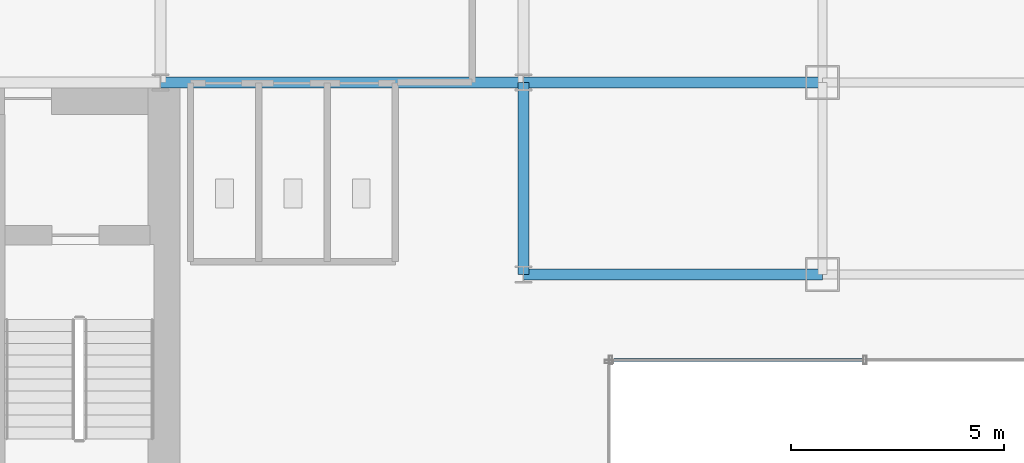
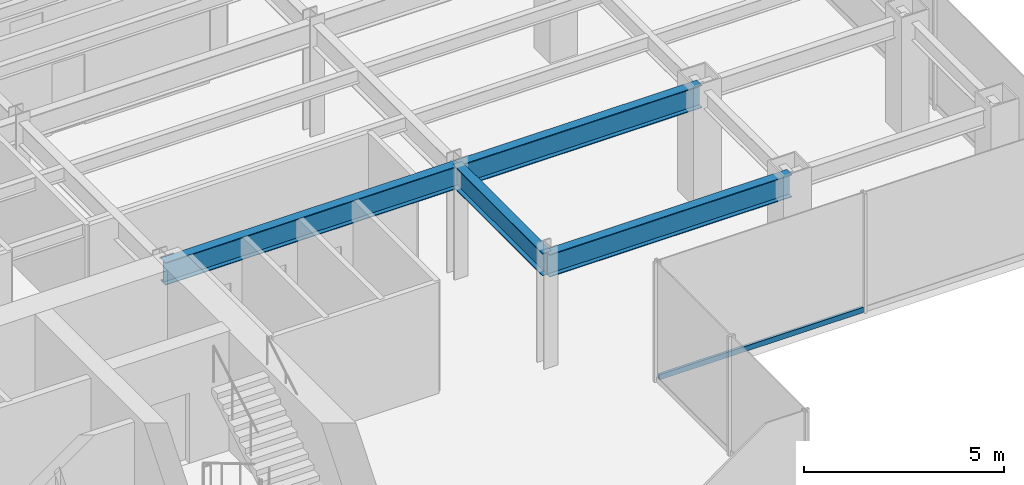
# One storey, part 9 of 26: 4 beams, 1 member, 1 element without a shape of its own.
"""IFC4 building model written with IfcOpenShell, lengths in metres."""

import ifcopenshell
import ifcopenshell.guid

model = None  # the IFC model being written
_history = None  # IfcOwnerHistory: only IFC2X3 demands one
_inside = {}  # id of a spatial element -> (the spatial element, [elements in it])
_under = {}  # id of a project, library or spatial element -> (it, [spatial elements below it])
_declared = {}  # id of a project -> (the project, [libraries it declares])
_typed = {}  # id of a type object -> (the type object, [elements of that type])
_made_of = {}  # id of a material, layer set ... -> (it, [elements and type objects made of it])


def new_model(schema):
    """Start an empty IFC model of exactly this schema.

    Asked for "IFC4X3", IfcOpenShell would pick the latest addendum, in which some entities
    have other attributes; the version numbers below select the first issue.
    IFC2X3 requires an IfcOwnerHistory on every rooted entity: one is made here for all.
    """
    global model, _history
    if schema == "IFC4X3":
        model = ifcopenshell.file(schema_version=(4, 3, 0, 0))
    else:
        model = ifcopenshell.file(schema=schema)
    _inside.clear()
    _under.clear()
    _declared.clear()
    _typed.clear()
    _made_of.clear()
    _history = None
    if model.schema == "IFC2X3":
        org = make("IfcOrganization", Name="unknown")
        user = make(
            "IfcPersonAndOrganization",
            ThePerson=make("IfcPerson", FamilyName="unknown"),
            TheOrganization=org,
        )
        app = make(
            "IfcApplication",
            ApplicationDeveloper=org,
            Version="unknown",
            ApplicationFullName="unknown",
            ApplicationIdentifier="unknown",
        )
        _history = make(
            "IfcOwnerHistory",
            OwningUser=user,
            OwningApplication=app,
            ChangeAction="ADDED",
            CreationDate=0,
        )
    return model


def make(cls, **values):
    """One entity of the class cls with the attributes given. An attribute that is None is left unset."""
    return model.create_entity(
        cls, **{name: value for name, value in values.items() if value is not None}
    )


def rooted(cls, **values):
    """An entity with a GlobalId (a new one), such as an element, a storey or a relation."""
    return make(cls, GlobalId=ifcopenshell.guid.new(), OwnerHistory=_history, **values)


def si_unit(unit_type, name, prefix=None):
    """IfcSIUnit, for example si_unit("LENGTHUNIT", "METRE", prefix="MILLI")."""
    return make("IfcSIUnit", UnitType=unit_type, Prefix=prefix, Name=name)


def derived_unit(unit_type, elements):
    """IfcDerivedUnit: a product of units, each with its exponent."""
    return make(
        "IfcDerivedUnit",
        Elements=[
            make("IfcDerivedUnitElement", Unit=unit, Exponent=power)
            for unit, power in elements
        ],
        UnitType=unit_type,
    )


def assignment(units):
    """IfcUnitAssignment: the units of a project."""
    return None if units is None else make("IfcUnitAssignment", Units=units)


def point(xyz):
    """IfcCartesianPoint."""
    return None if xyz is None else make("IfcCartesianPoint", Coordinates=xyz)


def direction(xyz):
    """IfcDirection."""
    return None if xyz is None else make("IfcDirection", DirectionRatios=xyz)


def frame(location, z_axis=None, x_axis=None):
    """IfcAxis2Placement3D, a coordinate frame: its origin and axes. An axis left out is left unset."""
    return make(
        "IfcAxis2Placement3D",
        Location=point(location),
        Axis=direction(z_axis),
        RefDirection=direction(x_axis),
    )


def frame_2d(location, x_axis=None):
    """IfcAxis2Placement2D, a coordinate frame in the plane: its origin and x axis."""
    return make(
        "IfcAxis2Placement2D", Location=point(location), RefDirection=direction(x_axis)
    )


def origin():
    """The frame at (0, 0, 0) with its axes left unset."""
    return frame((0.0, 0.0, 0.0))


def origin_2d():
    """The frame at (0, 0) in the plane with its x axis left unset."""
    return frame_2d((0.0, 0.0))


def place(relative_to, where):
    """IfcLocalPlacement: puts the frame where relative to a parent placement (None: the world)."""
    return make(
        "IfcLocalPlacement", PlacementRelTo=relative_to, RelativePlacement=where
    )


def context(
    kind, dimensions, precision=None, world=None, true_north=None, identifier=None
):
    """IfcGeometricRepresentationContext, for example the 3D "Model" context."""
    return make(
        "IfcGeometricRepresentationContext",
        ContextIdentifier=identifier,
        ContextType=kind,
        CoordinateSpaceDimension=dimensions,
        Precision=precision,
        WorldCoordinateSystem=world,
        TrueNorth=true_north,
    )


def subcontext(parent, identifier, kind, view, scale=None):
    """IfcGeometricRepresentationSubContext, for example "Body" below "Model"."""
    return make(
        "IfcGeometricRepresentationSubContext",
        ContextIdentifier=identifier,
        ContextType=kind,
        ParentContext=parent,
        TargetScale=scale,
        TargetView=view,
    )


def project(units=None, contexts=None):
    """IfcProject with its units and contexts."""
    return rooted(
        "IfcProject",
        Name="project",
        RepresentationContexts=contexts,
        UnitsInContext=assignment(units),
    )


def spatial(cls, under=None, at=None, **own):
    """A site, building, storey or space (cls), placed at a placement, below another one or the project."""
    s = rooted(cls, ObjectPlacement=at, **own)
    if under is not None:
        _under.setdefault(under.id(), (under, []))[1].append(s)
    return s


def profile(cls, at=None, kind="AREA", **sizes):
    """A parametric profile (cls). Its sizes go by their IFC names, for example OverallWidth=200.0."""
    return make(cls, ProfileType=kind, Position=at, **sizes)


def hollow_rectangle(**sizes):
    """IfcRectangleHollowProfileDef."""
    return profile("IfcRectangleHollowProfileDef", **sizes)


def i_section(**sizes):
    """IfcIShapeProfileDef."""
    return profile("IfcIShapeProfileDef", **sizes)


def extrude(swept, where, along, depth):
    """IfcExtrudedAreaSolid: the profile swept, set in the frame where, extruded along a direction by depth."""
    return make(
        "IfcExtrudedAreaSolid",
        SweptArea=swept,
        Position=where,
        ExtrudedDirection=direction(along),
        Depth=depth,
    )


def shape(context_of_items, identifier, shape_type, items):
    """IfcShapeRepresentation: the items that make up one representation, for example the "Body"."""
    return make(
        "IfcShapeRepresentation",
        ContextOfItems=context_of_items,
        RepresentationIdentifier=identifier,
        RepresentationType=shape_type,
        Items=items,
    )


def source(mapping_origin, context_of_items, identifier, shape_type, items):
    """IfcRepresentationMap: a shape defined once, which mapped items show again and again."""
    return make(
        "IfcRepresentationMap",
        MappingOrigin=mapping_origin,
        MappedRepresentation=shape(context_of_items, identifier, shape_type, items),
    )


def transform(
    local_origin,
    x_axis=None,
    y_axis=None,
    z_axis=None,
    scale=None,
    scale2=None,
    scale3=None,
    uniform=True,
):
    """IfcCartesianTransformationOperator3D, or its non-uniform kind. x_axis, y_axis, z_axis: its Axis1, 2, 3."""
    if uniform:
        return make(
            "IfcCartesianTransformationOperator3D",
            Axis1=direction(x_axis),
            Axis2=direction(y_axis),
            LocalOrigin=point(local_origin),
            Scale=scale,
            Axis3=direction(z_axis),
        )
    return make(
        "IfcCartesianTransformationOperator3DnonUniform",
        Axis1=direction(x_axis),
        Axis2=direction(y_axis),
        LocalOrigin=point(local_origin),
        Scale=scale,
        Axis3=direction(z_axis),
        Scale2=scale2,
        Scale3=scale3,
    )


def mapped(mapping_source, mapping_target):
    """IfcMappedItem: shows the shape of a source again, moved by a transform."""
    return make(
        "IfcMappedItem", MappingSource=mapping_source, MappingTarget=mapping_target
    )


def material(Name=None, Category=None):
    """IfcMaterial."""
    return make("IfcMaterial", Name=Name, Category=Category)


def material_profile(
    of_material, cross_section, Name=None, Category=None, Priority=None
):
    """IfcMaterialProfile: a cross section and its material."""
    return make(
        "IfcMaterialProfile",
        Name=Name,
        Material=of_material,
        Profile=cross_section,
        Priority=Priority,
        Category=Category,
    )


def profile_set(profiles, Name=None, composite=None):
    """IfcMaterialProfileSet."""
    return make(
        "IfcMaterialProfileSet",
        Name=Name,
        MaterialProfiles=profiles,
        CompositeProfile=composite,
    )


def made_of(thing, what):
    """Note that an element or type object is made of a material, layer set ...; save() writes the relation."""
    if what is not None:
        _made_of.setdefault(what.id(), (what, []))[1].append(thing)
    return thing


def type_object(cls, material=None, **own):
    """A type object (cls), such as IfcWallType, which elements share."""
    return made_of(rooted(cls, **own), material)


def element(
    cls,
    number,
    at=None,
    inside=None,
    cuts=None,
    type_object=None,
    material=None,
    context=None,
    identifier="Body",
    shape_type=None,
    held_by="IfcProductDefinitionShape",
    body=None,
    shapes=None,
    **own,
):
    """One element of the class cls, such as IfcWall. Its Tag is "e" and its number.

    at: its placement. inside: the storey or other place that contains it. cuts: it is an
    opening in that element (IfcRelVoidsElement). A single representation is given by context,
    identifier, shape_type and body (its items); several are given by shapes. held_by: the class
    of the entity that holds the representations. save() writes the other relations.
    """
    e = rooted(cls, Tag="e%d" % number, ObjectPlacement=at, **own)
    if body is not None:
        shapes = [shape(context, identifier, shape_type, body)]
    if shapes is not None:
        e.Representation = make(held_by, Representations=shapes)
    if inside is not None:
        _inside.setdefault(inside.id(), (inside, []))[1].append(e)
    if cuts is not None:
        rooted(
            "IfcRelVoidsElement", RelatingBuildingElement=cuts, RelatedOpeningElement=e
        )
    if type_object is not None:
        _typed.setdefault(type_object.id(), (type_object, []))[1].append(e)
    return made_of(e, material)


def aggregate(whole, parts):
    """IfcRelAggregates: a whole, such as a stair, and the parts it consists of."""
    return rooted("IfcRelAggregates", RelatingObject=whole, RelatedObjects=parts)


def save(model, path):
    """Write the relations noted so far, then the file.

    IfcRelAggregates (storeys below a building ...), IfcRelContainedInSpatialStructure (elements
    in a storey), IfcRelDefinesByType, IfcRelAssociatesMaterial and IfcRelDeclares: one each for
    every whole, place, type object, material and project.
    """
    for whole, parts in _under.values():
        aggregate(whole, parts)
    for where, things in _inside.values():
        rooted(
            "IfcRelContainedInSpatialStructure",
            RelatedElements=things,
            RelatingStructure=where,
        )
    for kind, things in _typed.values():
        rooted("IfcRelDefinesByType", RelatedObjects=things, RelatingType=kind)
    for what, things in _made_of.values():
        rooted("IfcRelAssociatesMaterial", RelatedObjects=things, RelatingMaterial=what)
    for by, libraries in _declared.values():
        rooted("IfcRelDeclares", RelatingContext=by, RelatedDefinitions=libraries)
    model.write(path)


model = new_model("IFC4")

# Units and contexts
model_context = context("Model", 3, precision=1e-05, world=origin(), true_north=direction((0.0, 1.0)))
body_context = subcontext(model_context, "Body", "Model", "MODEL_VIEW")
ifc_project = project(units=[si_unit("LENGTHUNIT", "METRE"), si_unit("AREAUNIT", "SQUARE_METRE"), si_unit("VOLUMEUNIT", "CUBIC_METRE"), si_unit("PLANEANGLEUNIT", "RADIAN"), si_unit("MASSUNIT", "GRAM", prefix="KILO"), derived_unit("THERMALTRANSMITTANCEUNIT", [(si_unit("POWERUNIT", "WATT"), 1), (si_unit("LENGTHUNIT", "METRE"), -2), (si_unit("THERMODYNAMICTEMPERATUREUNIT", "KELVIN"), -1)])], contexts=[model_context])

# Site, building, storey
site_placement = place(None, origin())
site = spatial("IfcSite", under=ifc_project, at=site_placement, CompositionType="ELEMENT")
building_placement = place(site_placement, origin())
building = spatial("IfcBuilding", under=site, at=building_placement, Name="Skarnbrae Concourse Arena and Tower", CompositionType="ELEMENT")
storey_placement = place(building_placement, frame((0.0, 0.0, 99.60009765625)))
storey = spatial("IfcBuildingStorey", under=building, at=storey_placement, Name="L24", CompositionType="ELEMENT", Elevation=99.60009765625)

# Beams
ifc_material_1 = material(Name="Steel CSA G40.21 350W", Category="steel")
ifc_material_profile_1 = material_profile(ifc_material_1, i_section(OverallWidth=0.256103515625, OverallDepth=0.693115234375, WebThickness=0.014404296875, FlangeThickness=0.023681640625, at=origin_2d()), Name="W690X170")
ifc_profile_set_1 = profile_set([ifc_material_profile_1], Name="Steel CSA G40.21 350W")
beam_type = type_object("IfcBeamType", Name="BM-GIRD-W690X170", PredefinedType="BEAM", material=ifc_profile_set_1)
shared_shape_1 = source(origin(), body_context, "Body", "SweptSolid", [
    extrude(i_section(OverallWidth=0.256103515625, OverallDepth=0.693115234375, WebThickness=0.014404296875, FlangeThickness=0.023681640625, at=origin_2d()), origin(), (0.0, 0.0, 1.0), 7.0),
])
for number, where, z_axis, x_axis, name in (
    (1, (42.0, 9.5, 3.053466796875), (1.0, 0.0, 0.0), (0.0, 1.0, 0.0), "L24 Primary E-W girder Y9.5-2"),
    (2, (42.0, 14.0, 3.053466796875), (1.0, 0.0, 0.0), (0.0, 1.0, 0.0), "L24 Primary E-W girder Y14.0-7"),
):
    element("IfcBeam", number, at=place(storey_placement, frame(where, z_axis=z_axis, x_axis=x_axis)), inside=storey, type_object=beam_type, Name=name, PredefinedType="BEAM", context=body_context, shape_type="MappedRepresentation", body=[
        mapped(shared_shape_1, transform((0.0, 0.0, 0.0))),
    ])
shared_shape_2 = source(origin(), body_context, "Body", "SweptSolid", [
    extrude(i_section(OverallWidth=0.256103515625, OverallDepth=0.693115234375, WebThickness=0.014404296875, FlangeThickness=0.023681640625, at=origin_2d()), origin(), (0.0, 0.0, 1.0), 8.5),
])
beam_1_placement = place(storey_placement, frame((33.5, 14.0, 3.053466796875), z_axis=(1.0, 0.0, 0.0), x_axis=(0.0, 1.0, 0.0)))
element("IfcBeam", 3, at=beam_1_placement, inside=storey, type_object=beam_type, Name="L24 Primary E-W girder Y14.0-6", PredefinedType="BEAM", context=body_context, shape_type="MappedRepresentation", body=[
    mapped(shared_shape_2, transform((0.0, 0.0, 0.0))),
])
shared_shape_3 = source(origin(), body_context, "Body", "SweptSolid", [
    extrude(i_section(OverallWidth=0.256103515625, OverallDepth=0.693115234375, WebThickness=0.014404296875, FlangeThickness=0.023681640625, at=origin_2d()), origin(), (0.0, 0.0, 1.0), 4.5),
])
beam_2_placement = place(storey_placement, frame((42.0, 9.5, 3.053466796875), z_axis=(0.0, 1.0, 0.0), x_axis=(-1.0, 0.0, 0.0)))
element("IfcBeam", 4, at=beam_2_placement, inside=storey, type_object=beam_type, Name="L24 Primary N-S girder X42.0-1", PredefinedType="BEAM", context=body_context, shape_type="MappedRepresentation", body=[
    mapped(shared_shape_3, transform((0.0, 0.0, 0.0))),
])

# Curtain wall, member
ifc_material_2 = material(Name="Bronze anodised aluminium 6063-T6", Category="aluminium")
curtain_wall_type = type_object("IfcCurtainWallType", Name="CW-SYS-04-MIDZONE", PredefinedType="USERDEFINED", material=ifc_material_2)
curtain_wall_placement = place(storey_placement, origin())
curtain_wall = element("IfcCurtainWall", 5, at=curtain_wall_placement, inside=storey, type_object=curtain_wall_type, Name="L24 Unitised curtain wall CW-L24-E03", ObjectType="UNITISED CURTAIN WALL", PredefinedType="USERDEFINED")
ifc_material_profile_2 = material_profile(ifc_material_2, hollow_rectangle(XDim=0.074951171875, YDim=0.159912109375, WallThickness=0.00439453125, at=origin_2d()), Name="ALU-TRAN-75X160")
ifc_profile_set_2 = profile_set([ifc_material_profile_2], Name="Bronze anodised aluminium 6063-T6")
member_type = type_object("IfcMemberType", Name="CWT-CW-04", PredefinedType="USERDEFINED", material=ifc_profile_set_2)
shared_shape_4 = source(origin(), body_context, "Body", "SweptSolid", [
    extrude(hollow_rectangle(XDim=0.074951171875, YDim=0.159912109375, WallThickness=0.00439453125, at=origin_2d()), origin(), (0.0, 0.0, 1.0), 5.887451171875),
])
member_placement = place(storey_placement, frame((44.074951171875, 7.5, 0.079833984375), z_axis=(1.0, 0.0, 0.0), x_axis=(0.0, 1.0, 0.0)))
member = element("IfcMember", 6, at=member_placement, type_object=member_type, Name="CW-L24-E03 Transom 1", ObjectType="TRANSOM", PredefinedType="USERDEFINED", context=body_context, shape_type="MappedRepresentation", body=[
    mapped(shared_shape_4, transform((0.0, 0.0, 0.0))),
])
aggregate(curtain_wall, [member])

save(model, "model.ifc")
